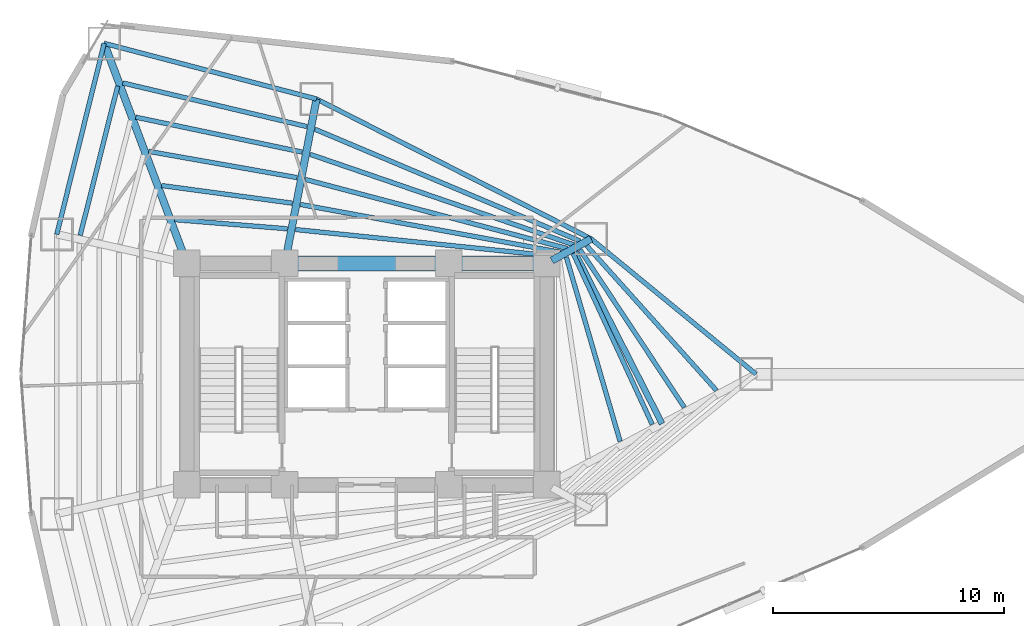
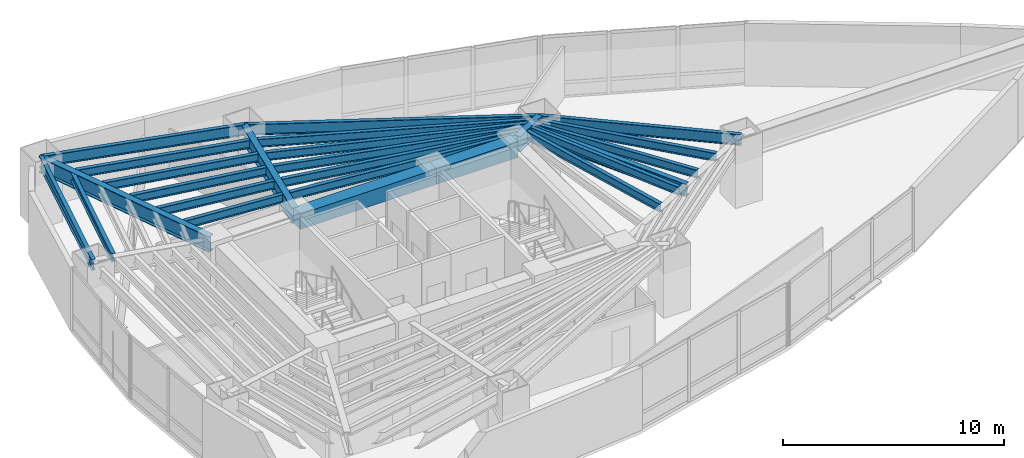
# One storey, part 9 of 20: 25 beams.
"""IFC4 building model written with IfcOpenShell, lengths in metres."""

from ifc_helpers import new_model, si_unit, direction, frame, origin, origin_2d, place, context, subcontext, project, spatial, rectangle, i_section, extrude, material, material_profile, profile_set, type_object, element, save


model = new_model("IFC4")

# Units and contexts
model_context = context("Model", 3, precision=1e-05, world=origin(), true_north=direction((0.0, 1.0)))
body_context = subcontext(model_context, "Body", "Model", "MODEL_VIEW")
ifc_project = project(units=[si_unit("LENGTHUNIT", "METRE"), si_unit("AREAUNIT", "SQUARE_METRE"), si_unit("VOLUMEUNIT", "CUBIC_METRE"), si_unit("PLANEANGLEUNIT", "RADIAN"), si_unit("MASSUNIT", "GRAM", prefix="KILO")], contexts=[model_context])

# Site, building, storey
site_placement = place(None, origin())
site = spatial("IfcSite", under=ifc_project, at=site_placement, CompositionType="ELEMENT")
building_placement = place(site_placement, origin())
building = spatial("IfcBuilding", under=site, at=building_placement, Name="Menara Vayukalpa", CompositionType="ELEMENT")
storey_placement = place(building_placement, frame((0.0, 0.0, 57.360107421875)))
storey = spatial("IfcBuildingStorey", under=building, at=storey_placement, Name="L13", CompositionType="ELEMENT", Elevation=57.360107421875)

# Beams
ifc_material_1 = material(Name="Concrete C60/75", Category="concrete")
ifc_material_profile_1 = material_profile(ifc_material_1, rectangle(XDim=0.64990234375, YDim=0.85009765625, at=origin_2d()), Name="RC 650x850")
ifc_profile_set_1 = profile_set([ifc_material_profile_1], Name="Concrete C60/75")
beam_type_1 = type_object("IfcBeamType", Name="BM-CB1", PredefinedType="BEAM", material=ifc_profile_set_1)
beam_1_placement = place(storey_placement, frame((22.050048828125, 26.800048828125, 3.044921875), z_axis=(1.0, 0.0, 0.0), x_axis=(0.0, 1.0, 0.0)))
element("IfcBeam", 1, at=beam_1_placement, inside=storey, type_object=beam_type_1, Name="L13 Core Tie Beam CBR5", PredefinedType="BEAM", context=body_context, shape_type="SweptSolid", body=[
    extrude(rectangle(XDim=0.64990234375, YDim=0.85009765625, at=origin_2d()), origin(), (0.0, 0.0, 1.0), 7.099853515625),
])
beam_2_placement = place(storey_placement, frame((29.14990234375, 26.800048828125, 3.044921875), z_axis=(1.0, 0.0, 0.0), x_axis=(0.0, 1.0, 0.0)))
element("IfcBeam", 2, at=beam_2_placement, inside=storey, type_object=beam_type_1, Name="L13 Core Tie Beam CBR6", PredefinedType="BEAM", context=body_context, shape_type="SweptSolid", body=[
    extrude(rectangle(XDim=0.64990234375, YDim=0.85009765625, at=origin_2d()), origin(), (0.0, 0.0, 1.0), 4.25),
])
ifc_material_2 = material(Name="Steel S355", Category="steel")
ifc_material_profile_2 = material_profile(ifc_material_2, i_section(OverallWidth=0.320068359375, OverallDepth=0.85009765625, WebThickness=0.01611328125, FlangeThickness=0.030029296875, at=origin_2d()), Name="WF 850x320x16x30")
ifc_profile_set_2 = profile_set([ifc_material_profile_2], Name="Steel S355")
beam_type_2 = type_object("IfcBeamType", Name="BM-PG2", PredefinedType="BEAM", material=ifc_profile_set_2)
beam_3_placement = place(storey_placement, frame((33.61865234375, 26.921142578125, 3.044921875), z_axis=(0.87459548214, 0.484853320727, 0.0), x_axis=(-0.484853320727, 0.87459548214, 0.0)))
element("IfcBeam", 3, at=beam_3_placement, inside=storey, type_object=beam_type_2, Name="L13 Primary Radial Girder RG02", PredefinedType="BEAM", context=body_context, shape_type="SweptSolid", body=[
    extrude(i_section(OverallWidth=0.320068359375, OverallDepth=0.85009765625, WebThickness=0.01611328125, FlangeThickness=0.030029296875, at=origin_2d()), origin(), (0.0, 0.0, 1.0), 1.943115234375),
])
beam_4_placement = place(storey_placement, frame((22.09716796875, 27.04541015625, 3.044921875), z_axis=(0.188803432672, 0.982014899995, 0.0), x_axis=(-0.982014899995, 0.188803432672, 0.0)))
element("IfcBeam", 4, at=beam_4_placement, inside=storey, type_object=beam_type_2, Name="L13 Primary Radial Girder RG03", PredefinedType="BEAM", context=body_context, shape_type="SweptSolid", body=[
    extrude(i_section(OverallWidth=0.320068359375, OverallDepth=0.85009765625, WebThickness=0.01611328125, FlangeThickness=0.030029296875, at=origin_2d()), origin(), (0.0, 0.0, 1.0), 7.00341796875),
])
beam_5_placement = place(storey_placement, frame((17.712158203125, 27.033935546875, 3.044921875), z_axis=(-0.351734656537, 0.93609974436, 0.0), x_axis=(-0.93609974436, -0.351734656537, 0.0)))
element("IfcBeam", 5, at=beam_5_placement, inside=storey, type_object=beam_type_2, Name="L13 Primary Radial Girder RG04", PredefinedType="BEAM", context=body_context, shape_type="SweptSolid", body=[
    extrude(i_section(OverallWidth=0.320068359375, OverallDepth=0.85009765625, WebThickness=0.01611328125, FlangeThickness=0.030029296875, at=origin_2d()), origin(), (0.0, 0.0, 1.0), 9.935302734375),
])
ifc_material_3 = material(Name="Steel S460", Category="steel")
ifc_material_profile_3 = material_profile(ifc_material_3, i_section(OverallWidth=0.260009765625, OverallDepth=0.679931640625, WebThickness=0.012939453125, FlangeThickness=0.02197265625, at=origin_2d()), Name="WF 680x260x13x22")
ifc_profile_set_3 = profile_set([ifc_material_profile_3], Name="Steel S460")
beam_type_3 = type_object("IfcBeamType", Name="BM-SBG1", PredefinedType="BEAM", material=ifc_profile_set_3)
beam_6_placement = place(storey_placement, frame((38.396484375, 19.845703125, 3.1298828125), z_axis=(-0.453593975241, 0.891208452398, 0.0), x_axis=(-0.891208452398, -0.453593975241, 0.0)))
element("IfcBeam", 6, at=beam_6_placement, inside=storey, type_object=beam_type_3, Name="L13 SB1 Sky Bar Interior Tie Beam", PredefinedType="BEAM", context=body_context, shape_type="SweptSolid", body=[
    extrude(i_section(OverallWidth=0.260009765625, OverallDepth=0.679931640625, WebThickness=0.012939453125, FlangeThickness=0.02197265625, at=origin_2d()), origin(), (0.0, 0.0, 1.0), 8.510009765625),
])
ifc_material_4 = material(Name="Steel S355", Category="steel")
ifc_material_profile_4 = material_profile(ifc_material_4, i_section(OverallWidth=0.199951171875, OverallDepth=0.449951171875, WebThickness=0.009033203125, FlangeThickness=0.013916015625, at=origin_2d()), Name="WF 450x200x9x14")
ifc_profile_set_4 = profile_set([ifc_material_profile_4], Name="Steel S355")
beam_type_4 = type_object("IfcBeamType", Name="BM-SJ1", PredefinedType="JOIST", material=ifc_profile_set_4)
beam_7_placement = place(storey_placement, frame((36.577392578125, 19.08203125, 3.244873046875), z_axis=(-0.280127331343, 0.959962852528, 0.0), x_axis=(-0.959962852528, -0.280127331343, 0.0)))
element("IfcBeam", 7, at=beam_7_placement, inside=storey, type_object=beam_type_4, Name="L13 Secondary Floor Joist SJ01-2", PredefinedType="JOIST", context=body_context, shape_type="SweptSolid", body=[
    extrude(i_section(OverallWidth=0.199951171875, OverallDepth=0.449951171875, WebThickness=0.009033203125, FlangeThickness=0.013916015625, at=origin_2d()), origin(), (0.0, 0.0, 1.0), 8.319580078125),
])
beam_8_placement = place(storey_placement, frame((37.96728515625, 19.822021484375, 3.244873046875), z_axis=(-0.419547647921, 0.907733314979, 0.0), x_axis=(-0.907733314979, -0.419547647921, 0.0)))
element("IfcBeam", 8, at=beam_8_placement, inside=storey, type_object=beam_type_4, Name="L13 Secondary Floor Joist SJ01-3", PredefinedType="JOIST", context=body_context, shape_type="SweptSolid", body=[
    extrude(i_section(OverallWidth=0.199951171875, OverallDepth=0.449951171875, WebThickness=0.009033203125, FlangeThickness=0.013916015625, at=origin_2d()), origin(), (0.0, 0.0, 1.0), 8.15966796875),
])
beam_9_placement = place(storey_placement, frame((39.358642578125, 20.557861328125, 3.244873046875), z_axis=(-0.551519467329, 0.834162020927, 0.0), x_axis=(-0.834162020927, -0.551519467329, 0.0)))
element("IfcBeam", 9, at=beam_9_placement, inside=storey, type_object=beam_type_4, Name="L13 Secondary Floor Joist SJ01-4", PredefinedType="JOIST", context=body_context, shape_type="SweptSolid", body=[
    extrude(i_section(OverallWidth=0.199951171875, OverallDepth=0.449951171875, WebThickness=0.009033203125, FlangeThickness=0.013916015625, at=origin_2d()), origin(), (0.0, 0.0, 1.0), 8.19384765625),
])
beam_10_placement = place(storey_placement, frame((40.752685546875, 21.291015625, 3.244873046875), z_axis=(-0.667563308959, 0.744553039435, 0.0), x_axis=(-0.744553039435, -0.667563308959, 0.0)))
element("IfcBeam", 10, at=beam_10_placement, inside=storey, type_object=beam_type_4, Name="L13 Secondary Floor Joist SJ01-5", PredefinedType="JOIST", context=body_context, shape_type="SweptSolid", body=[
    extrude(i_section(OverallWidth=0.199951171875, OverallDepth=0.449951171875, WebThickness=0.009033203125, FlangeThickness=0.013916015625, at=origin_2d()), origin(), (0.0, 0.0, 1.0), 8.419189453125),
])
beam_11_placement = place(storey_placement, frame((33.74560546875, 27.109130859375, 3.244873046875), z_axis=(-0.994746828953, 0.102365747631, 0.0), x_axis=(-0.102365747631, -0.994746828953, 0.0)))
element("IfcBeam", 11, at=beam_11_placement, inside=storey, type_object=beam_type_4, Name="L13 Secondary Floor Joist SJ02-1", PredefinedType="JOIST", context=body_context, shape_type="SweptSolid", body=[
    extrude(i_section(OverallWidth=0.199951171875, OverallDepth=0.449951171875, WebThickness=0.009033203125, FlangeThickness=0.013916015625, at=origin_2d()), origin(), (0.0, 0.0, 1.0), 11.29052734375),
])
beam_12_placement = place(storey_placement, frame((34.019287109375, 27.27392578125, 3.244873046875), z_axis=(-0.983504975359, 0.180881075419, 0.0), x_axis=(-0.180881075419, -0.983504975359, 0.0)))
element("IfcBeam", 12, at=beam_12_placement, inside=storey, type_object=beam_type_4, Name="L13 Secondary Floor Joist SJ02-2", PredefinedType="JOIST", context=body_context, shape_type="SweptSolid", body=[
    extrude(i_section(OverallWidth=0.199951171875, OverallDepth=0.449951171875, WebThickness=0.009033203125, FlangeThickness=0.013916015625, at=origin_2d()), origin(), (0.0, 0.0, 1.0), 11.48486328125),
])
beam_13_placement = place(storey_placement, frame((34.294189453125, 27.438232421875, 3.244873046875), z_axis=(-0.966863757537, 0.255292918746, 0.0), x_axis=(-0.255292918746, -0.966863757537, 0.0)))
element("IfcBeam", 13, at=beam_13_placement, inside=storey, type_object=beam_type_4, Name="L13 Secondary Floor Joist SJ02-3", PredefinedType="JOIST", context=body_context, shape_type="SweptSolid", body=[
    extrude(i_section(OverallWidth=0.199951171875, OverallDepth=0.449951171875, WebThickness=0.009033203125, FlangeThickness=0.013916015625, at=origin_2d()), origin(), (0.0, 0.0, 1.0), 11.751220703125),
])
beam_14_placement = place(storey_placement, frame((34.570068359375, 27.601318359375, 3.244873046875), z_axis=(-0.945794261669, 0.324766400038, 0.0), x_axis=(-0.324766400038, -0.945794261669, 0.0)))
element("IfcBeam", 14, at=beam_14_placement, inside=storey, type_object=beam_type_4, Name="L13 Secondary Floor Joist SJ02-4", PredefinedType="JOIST", context=body_context, shape_type="SweptSolid", body=[
    extrude(i_section(OverallWidth=0.199951171875, OverallDepth=0.449951171875, WebThickness=0.009033203125, FlangeThickness=0.013916015625, at=origin_2d()), origin(), (0.0, 0.0, 1.0), 12.0849609375),
])
beam_15_placement = place(storey_placement, frame((34.84619140625, 27.763671875, 3.244873046875), z_axis=(-0.921359344435, 0.38871192215, 0.0), x_axis=(-0.38871192215, -0.921359344435, 0.0)))
element("IfcBeam", 15, at=beam_15_placement, inside=storey, type_object=beam_type_4, Name="L13 Secondary Floor Joist SJ02-5", PredefinedType="JOIST", context=body_context, shape_type="SweptSolid", body=[
    extrude(i_section(OverallWidth=0.199951171875, OverallDepth=0.449951171875, WebThickness=0.009033203125, FlangeThickness=0.013916015625, at=origin_2d()), origin(), (0.0, 0.0, 1.0), 12.48046875),
])
beam_16_placement = place(storey_placement, frame((22.15576171875, 28.2978515625, 3.244873046875), z_axis=(-0.996745483939, 0.08061290373, 0.0), x_axis=(-0.08061290373, -0.996745483939, 0.0)))
element("IfcBeam", 16, at=beam_16_placement, inside=storey, type_object=beam_type_4, Name="L13 Secondary Floor Joist SJ03-1", PredefinedType="JOIST", context=body_context, shape_type="SweptSolid", body=[
    extrude(i_section(OverallWidth=0.199951171875, OverallDepth=0.449951171875, WebThickness=0.009033203125, FlangeThickness=0.013916015625, at=origin_2d()), origin(), (0.0, 0.0, 1.0), 4.9091796875),
])
beam_17_placement = place(storey_placement, frame((22.368408203125, 29.40771484375, 3.244873046875), z_axis=(-0.991021966654, 0.13369914588, 0.0), x_axis=(-0.13369914588, -0.991021966654, 0.0)))
element("IfcBeam", 17, at=beam_17_placement, inside=storey, type_object=beam_type_4, Name="L13 Secondary Floor Joist SJ03-2", PredefinedType="JOIST", context=body_context, shape_type="SweptSolid", body=[
    extrude(i_section(OverallWidth=0.199951171875, OverallDepth=0.449951171875, WebThickness=0.009033203125, FlangeThickness=0.013916015625, at=origin_2d()), origin(), (0.0, 0.0, 1.0), 5.71728515625),
])
beam_18_placement = place(storey_placement, frame((22.5810546875, 30.515380859375, 3.244873046875), z_axis=(-0.984753096925, 0.173957862993, 0.0), x_axis=(-0.173957862993, -0.984753096925, 0.0)))
element("IfcBeam", 18, at=beam_18_placement, inside=storey, type_object=beam_type_4, Name="L13 Secondary Floor Joist SJ03-3", PredefinedType="JOIST", context=body_context, shape_type="SweptSolid", body=[
    extrude(i_section(OverallWidth=0.199951171875, OverallDepth=0.449951171875, WebThickness=0.009033203125, FlangeThickness=0.013916015625, at=origin_2d()), origin(), (0.0, 0.0, 1.0), 6.53857421875),
])
beam_19_placement = place(storey_placement, frame((22.793701171875, 31.62158203125, 3.244873046875), z_axis=(-0.978676146728, 0.205409346977, 0.0), x_axis=(-0.205409346977, -0.978676146728, 0.0)))
element("IfcBeam", 19, at=beam_19_placement, inside=storey, type_object=beam_type_4, Name="L13 Secondary Floor Joist SJ03-4", PredefinedType="JOIST", context=body_context, shape_type="SweptSolid", body=[
    extrude(i_section(OverallWidth=0.199951171875, OverallDepth=0.449951171875, WebThickness=0.009033203125, FlangeThickness=0.013916015625, at=origin_2d()), origin(), (0.0, 0.0, 1.0), 7.369140625),
])
beam_20_placement = place(storey_placement, frame((23.00634765625, 32.726318359375, 3.244873046875), z_axis=(-0.97303971213, 0.23063763487, 0.0), x_axis=(-0.23063763487, -0.97303971213, 0.0)))
element("IfcBeam", 20, at=beam_20_placement, inside=storey, type_object=beam_type_4, Name="L13 Secondary Floor Joist SJ03-5", PredefinedType="JOIST", context=body_context, shape_type="SweptSolid", body=[
    extrude(i_section(OverallWidth=0.199951171875, OverallDepth=0.449951171875, WebThickness=0.009033203125, FlangeThickness=0.013916015625, at=origin_2d()), origin(), (0.0, 0.0, 1.0), 8.205810546875),
])
beam_21_placement = place(storey_placement, frame((14.802734375, 34.485595703125, 3.244873046875), z_axis=(-0.243517460774, -0.96989651319, 0.0), x_axis=(0.96989651319, -0.243517460774, 0.0)))
element("IfcBeam", 21, at=beam_21_placement, inside=storey, type_object=beam_type_4, Name="L13 Secondary Floor Joist SJ04-5", PredefinedType="JOIST", context=body_context, shape_type="SweptSolid", body=[
    extrude(i_section(OverallWidth=0.199951171875, OverallDepth=0.449951171875, WebThickness=0.009033203125, FlangeThickness=0.013916015625, at=origin_2d()), origin(), (0.0, 0.0, 1.0), 6.6689453125),
])
ifc_material_5 = material(Name="Steel S355", Category="steel")
ifc_material_profile_5 = material_profile(ifc_material_5, i_section(OverallWidth=0.199951171875, OverallDepth=0.60009765625, WebThickness=0.010986328125, FlangeThickness=0.01708984375, at=origin_2d()), Name="WF 600x200x11x17")
ifc_profile_set_5 = profile_set([ifc_material_profile_5], Name="Steel S355")
beam_type_5 = type_object("IfcBeamType", Name="BM-SP1", PredefinedType="SPANDREL", material=ifc_profile_set_5)
beam_22_placement = place(storey_placement, frame((42.46484375, 22.0, 3.169921875), z_axis=(-0.773110561587, 0.63427128231, 0.0), x_axis=(-0.63427128231, -0.773110561587, 0.0)))
element("IfcBeam", 22, at=beam_22_placement, inside=storey, type_object=beam_type_5, Name="L13 Perimeter Spandrel Beam SP01", PredefinedType="SPANDREL", context=body_context, shape_type="SweptSolid", body=[
    extrude(i_section(OverallWidth=0.199951171875, OverallDepth=0.60009765625, WebThickness=0.010986328125, FlangeThickness=0.01708984375, at=origin_2d()), origin(), (0.0, 0.0, 1.0), 9.244140625),
])
beam_23_placement = place(storey_placement, frame((35.318115234375, 27.86328125, 3.169921875), z_axis=(-0.891100743313, 0.453805536841, 0.0), x_axis=(-0.453805536841, -0.891100743313, 0.0)))
element("IfcBeam", 23, at=beam_23_placement, inside=storey, type_object=beam_type_5, Name="L13 Perimeter Spandrel Beam SP02", PredefinedType="SPANDREL", context=body_context, shape_type="SweptSolid", body=[
    extrude(i_section(OverallWidth=0.199951171875, OverallDepth=0.60009765625, WebThickness=0.010986328125, FlangeThickness=0.01708984375, at=origin_2d()), origin(), (0.0, 0.0, 1.0), 13.352783203125),
])
beam_24_placement = place(storey_placement, frame((23.41943359375, 33.9228515625, 3.169921875), z_axis=(-0.967331024421, 0.253516644802, 0.0), x_axis=(-0.253516644802, -0.967331024421, 0.0)))
element("IfcBeam", 24, at=beam_24_placement, inside=storey, type_object=beam_type_5, Name="L13 Perimeter Spandrel Beam SP03", PredefinedType="SPANDREL", context=body_context, shape_type="SweptSolid", body=[
    extrude(i_section(OverallWidth=0.199951171875, OverallDepth=0.60009765625, WebThickness=0.010986328125, FlangeThickness=0.01708984375, at=origin_2d()), origin(), (0.0, 0.0, 1.0), 9.5126953125),
])
beam_25_placement = place(storey_placement, frame((14.217529296875, 36.33447265625, 3.169921875), z_axis=(-0.240823860364, -0.970568837476, 0.0), x_axis=(0.970568837476, -0.240823860364, 0.0)))
element("IfcBeam", 25, at=beam_25_placement, inside=storey, type_object=beam_type_5, Name="L13 Perimeter Spandrel Beam SP04", PredefinedType="SPANDREL", context=body_context, shape_type="SweptSolid", body=[
    extrude(i_section(OverallWidth=0.199951171875, OverallDepth=0.60009765625, WebThickness=0.010986328125, FlangeThickness=0.01708984375, at=origin_2d()), origin(), (0.0, 0.0, 1.0), 8.52587890625),
])

save(model, "model.ifc")
